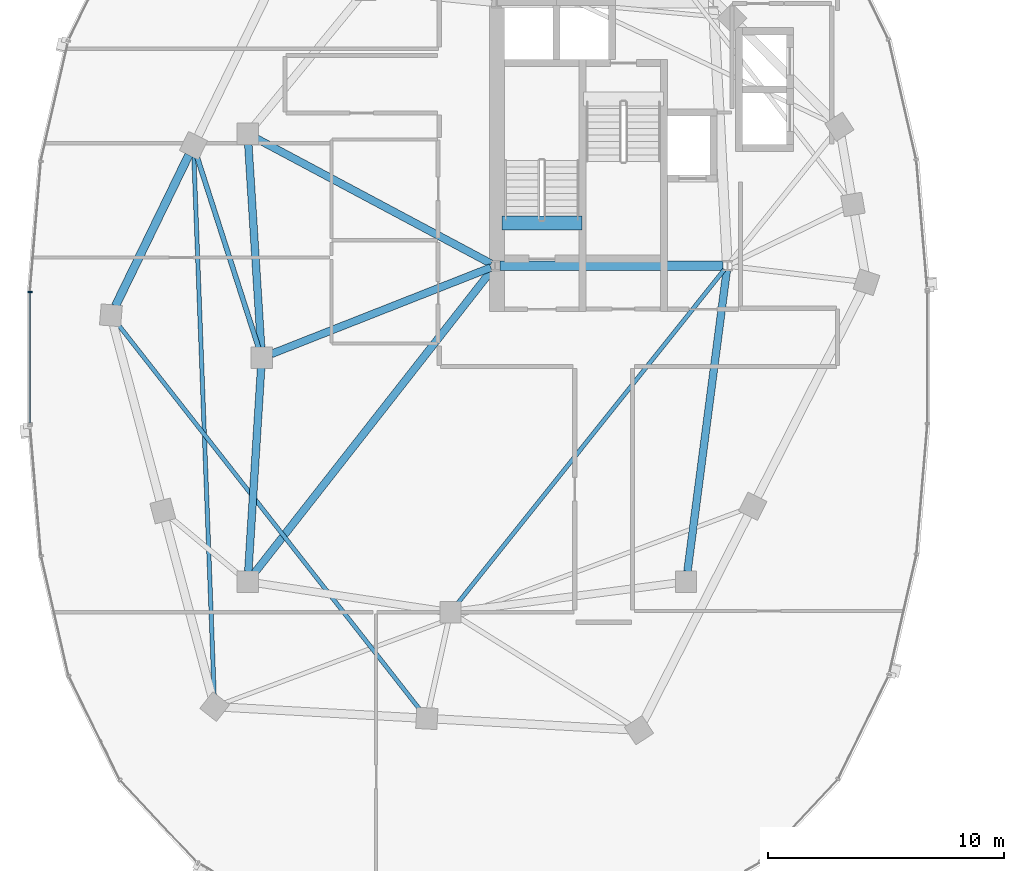
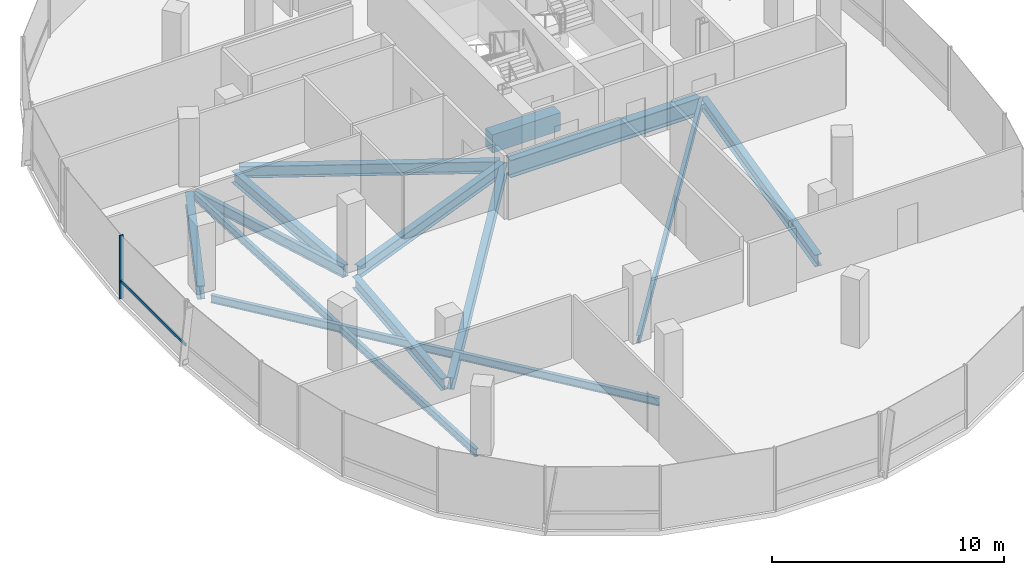
# One storey, part 4 of 25: 13 beams, 2 members, 1 element without a shape of its own.
"""IFC4 building model written with IfcOpenShell, lengths in metres."""

from ifc_helpers import new_model, si_unit, direction, frame, origin, origin_2d, place, context, subcontext, project, spatial, rectangle, i_section, extrude, material, material_profile, profile_set, type_object, element, aggregate, save


model = new_model("IFC4")

# Units and contexts
model_context = context("Model", 3, precision=1e-05, world=origin(), true_north=direction((0.0, 1.0)))
body_context = subcontext(model_context, "Body", "Model", "MODEL_VIEW")
ifc_project = project(units=[si_unit("LENGTHUNIT", "METRE"), si_unit("AREAUNIT", "SQUARE_METRE"), si_unit("VOLUMEUNIT", "CUBIC_METRE"), si_unit("PLANEANGLEUNIT", "RADIAN"), si_unit("MASSUNIT", "GRAM", prefix="KILO"), si_unit("THERMODYNAMICTEMPERATUREUNIT", "KELVIN"), si_unit("POWERUNIT", "WATT")], contexts=[model_context])

# Site, building, storey
site_placement = place(None, origin())
site = spatial("IfcSite", under=ifc_project, at=site_placement, CompositionType="ELEMENT")
building_placement = place(site_placement, origin())
building = spatial("IfcBuilding", under=site, at=building_placement, Name="Cundina Bronze Exchange", CompositionType="ELEMENT")
storey_placement = place(building_placement, frame((0.0, 0.0, 217.0)))
storey = spatial("IfcBuildingStorey", under=building, at=storey_placement, Name="L57", CompositionType="ELEMENT", Elevation=217.0)

# Beams
ifc_material_1 = material(Name="Concrete C60/75", Category="concrete")
ifc_material_profile_1 = material_profile(ifc_material_1, rectangle(XDim=0.60009765625, YDim=0.949951171875, at=origin_2d()), Name="RC600X950", Category="concrete")
ifc_profile_set_1 = profile_set([ifc_material_profile_1], Name="Concrete C60/75")
beam_type_1 = type_object("IfcBeamType", Name="BM-COUP-RC950", PredefinedType="LINTEL", material=ifc_profile_set_1)
beam_1_placement = place(storey_placement, frame((-31.02001953125, 5.719970703125, -0.47509765625), z_axis=(1.0, 0.0, 0.0), x_axis=(0.0, 1.0, 0.0)))
element("IfcBeam", 1, at=beam_1_placement, inside=storey, type_object=beam_type_1, Name="L57 Stair W1 Landing Header Beam", PredefinedType="LINTEL", context=body_context, shape_type="SweptSolid", body=[
    extrude(rectangle(XDim=0.60009765625, YDim=0.949951171875, at=origin_2d()), origin(), (0.0, 0.0, 1.0), 3.39990234375),
])
ifc_material_2 = material(Name="Steel ASTM A992 Grade 50", Category="steel")
ifc_material_profile_2 = material_profile(ifc_material_2, i_section(OverallWidth=0.2119140625, OverallDepth=0.5439453125, WebThickness=0.01318359375, FlangeThickness=0.021240234375, FilletRadius=0.013916015625, at=origin_2d()), Name="W21X83", Category="steel")
ifc_profile_set_2 = profile_set([ifc_material_profile_2], Name="Steel ASTM A992 Grade 50")
beam_type_2 = type_object("IfcBeamType", Name="BM-FLR-W21A", PredefinedType="BEAM", material=ifc_profile_set_2)
beam_2_placement = place(storey_placement, frame((-41.334228515625, 0.4169921875, -0.531982421875), z_axis=(-0.306727566953, 0.951797352208, 0.0), x_axis=(-0.951797352208, -0.306727566953, 0.0)))
element("IfcBeam", 2, at=beam_2_placement, inside=storey, type_object=beam_type_2, Name="L57 Leg W Radial Floor Beam 07", PredefinedType="BEAM", context=body_context, shape_type="SweptSolid", body=[
    extrude(i_section(OverallWidth=0.2119140625, OverallDepth=0.5439453125, WebThickness=0.01318359375, FlangeThickness=0.021240234375, FilletRadius=0.013916015625, at=origin_2d()), origin(), (0.0, 0.0, 1.0), 8.57958984375),
])
ifc_material_profile_3 = material_profile(ifc_material_2, i_section(OverallWidth=0.178955078125, OverallDepth=0.409912109375, WebThickness=0.0087890625, FlangeThickness=0.014404296875, FilletRadius=0.010986328125, at=origin_2d()), Name="W16X45", Category="steel")
ifc_profile_set_3 = profile_set([ifc_material_profile_3], Name="Steel ASTM A992 Grade 50")
beam_type_3 = type_object("IfcBeamType", Name="BM-JST-W16", PredefinedType="JOIST", material=ifc_profile_set_3)
beam_3_placement = place(storey_placement, frame((-21.572509765625, 3.746826171875, -0.465087890625), z_axis=(-0.624364266872, -0.781133319129, 0.0), x_axis=(0.781133319129, -0.624364266872, 0.0)))
element("IfcBeam", 3, at=beam_3_placement, inside=storey, type_object=beam_type_3, Name="L57 W Interior Core-to-Ring Joist 2", PredefinedType="JOIST", context=body_context, shape_type="SweptSolid", body=[
    extrude(i_section(OverallWidth=0.178955078125, OverallDepth=0.409912109375, WebThickness=0.0087890625, FlangeThickness=0.014404296875, FilletRadius=0.010986328125, at=origin_2d()), origin(), (0.0, 0.0, 1.0), 18.184814453125),
])
beam_4_placement = place(storey_placement, frame((-44.08349609375, 8.562255859375, -0.465087890625), z_axis=(0.037790216102, -0.999285694667, 0.0), x_axis=(0.999285694667, 0.037790216102, 0.0)))
element("IfcBeam", 4, at=beam_4_placement, inside=storey, type_object=beam_type_3, Name="L57 Leg W Lobe Floor Joist 07-10", PredefinedType="JOIST", context=body_context, shape_type="SweptSolid", body=[
    extrude(i_section(OverallWidth=0.178955078125, OverallDepth=0.409912109375, WebThickness=0.0087890625, FlangeThickness=0.014404296875, FilletRadius=0.010986328125, at=origin_2d()), origin(), (0.0, 0.0, 1.0), 22.94091796875),
])
beam_5_placement = place(storey_placement, frame((-47.329833984375, 1.455078125, -0.465087890625), z_axis=(0.616810493522, -0.787111691618, 0.0), x_axis=(0.787111691618, 0.616810493522, 0.0)))
element("IfcBeam", 5, at=beam_5_placement, inside=storey, type_object=beam_type_3, Name="L57 Leg W Lobe Floor Joist 08-11", PredefinedType="JOIST", context=body_context, shape_type="SweptSolid", body=[
    extrude(i_section(OverallWidth=0.178955078125, OverallDepth=0.409912109375, WebThickness=0.0087890625, FlangeThickness=0.014404296875, FilletRadius=0.010986328125, at=origin_2d()), origin(), (0.0, 0.0, 1.0), 20.8486328125),
])
ifc_material_profile_4 = material_profile(ifc_material_2, i_section(OverallWidth=0.324951171875, OverallDepth=0.615966796875, WebThickness=0.013916015625, FlangeThickness=0.021484375, FilletRadius=0.01611328125, at=origin_2d()), Name="W24X117", Category="steel")
ifc_profile_set_4 = profile_set([ifc_material_profile_4], Name="Steel ASTM A992 Grade 50")
beam_type_4 = type_object("IfcBeamType", Name="BM-RING-W24", PredefinedType="USERDEFINED", material=ifc_profile_set_4)
for number, where, z_axis, x_axis, name in (
    (6, (-41.7724609375, 9.06298828125, -0.568115234375), (0.063046519736, -0.998010589297, 0.0), (0.998010589297, 0.063046519736, 0.0), "L57 W Inner Structural Ring Girder 03"),
    (7, (-41.2275390625, -0.43701171875, -0.568115234375), (-0.063046519736, -0.998010589297, 0.0), (0.998010589297, -0.063046519736, 0.0), "L57 W Inner Structural Ring Girder 04"),
):
    element("IfcBeam", number, at=place(storey_placement, frame(where, z_axis=z_axis, x_axis=x_axis)), inside=storey, type_object=beam_type_4, Name=name, ObjectType="GIRDER", PredefinedType="USERDEFINED", context=body_context, shape_type="SweptSolid", body=[
        extrude(i_section(OverallWidth=0.324951171875, OverallDepth=0.615966796875, WebThickness=0.013916015625, FlangeThickness=0.021484375, FilletRadius=0.01611328125, at=origin_2d()), origin(), (0.0, 0.0, 1.0), 8.64306640625),
    ])
beam_6_placement = place(storey_placement, frame((-23.143310546875, -9.065673828125, -0.568115234375), z_axis=(0.129501251979, 0.991579258424, 0.0), x_axis=(-0.991579258424, 0.129501251979, 0.0)))
element("IfcBeam", 8, at=beam_6_placement, inside=storey, type_object=beam_type_4, Name="L57 W Inner Structural Ring Girder 07", ObjectType="GIRDER", PredefinedType="USERDEFINED", context=body_context, shape_type="SweptSolid", body=[
    extrude(i_section(OverallWidth=0.324951171875, OverallDepth=0.615966796875, WebThickness=0.013916015625, FlangeThickness=0.021484375, FilletRadius=0.01611328125, at=origin_2d()), origin(), (0.0, 0.0, 1.0), 12.8798828125),
])
beam_7_placement = place(storey_placement, frame((-31.482421875, 3.828125, -0.568115234375), z_axis=(-0.930404106569, -0.366535398673, 0.0), x_axis=(0.366535398673, -0.930404106569, 0.0)))
element("IfcBeam", 9, at=beam_7_placement, inside=storey, type_object=beam_type_4, Name="L57 W Core-to-Waist Tie Beam 1", ObjectType="GIRDER", PredefinedType="USERDEFINED", context=body_context, shape_type="SweptSolid", body=[
    extrude(i_section(OverallWidth=0.324951171875, OverallDepth=0.615966796875, WebThickness=0.013916015625, FlangeThickness=0.021484375, FilletRadius=0.01611328125, at=origin_2d()), origin(), (0.0, 0.0, 1.0), 10.00634765625),
])
beam_8_placement = place(storey_placement, frame((-31.472900390625, 3.9921875, -0.568115234375), z_axis=(-0.882350541683, 0.470592734317, 0.0), x_axis=(-0.470592734317, -0.882350541683, 0.0)))
element("IfcBeam", 10, at=beam_8_placement, inside=storey, type_object=beam_type_4, Name="L57 W Core-to-Waist Tie Beam 2", ObjectType="GIRDER", PredefinedType="USERDEFINED", context=body_context, shape_type="SweptSolid", body=[
    extrude(i_section(OverallWidth=0.324951171875, OverallDepth=0.615966796875, WebThickness=0.013916015625, FlangeThickness=0.021484375, FilletRadius=0.01611328125, at=origin_2d()), origin(), (0.0, 0.0, 1.0), 11.26611328125),
])
beam_9_placement = place(storey_placement, frame((-31.4208984375, 3.74560546875, -0.568115234375), z_axis=(-0.616782900053, -0.787133314123, 0.0), x_axis=(0.787133314123, -0.616782900053, 0.0)))
element("IfcBeam", 11, at=beam_9_placement, inside=storey, type_object=beam_type_4, Name="L57 W Core-to-Waist Tie Beam 3", ObjectType="GIRDER", PredefinedType="USERDEFINED", context=body_context, shape_type="SweptSolid", body=[
    extrude(i_section(OverallWidth=0.324951171875, OverallDepth=0.615966796875, WebThickness=0.013916015625, FlangeThickness=0.021484375, FilletRadius=0.01611328125, at=origin_2d()), origin(), (0.0, 0.0, 1.0), 16.3896484375),
])
ifc_material_profile_5 = material_profile(ifc_material_2, i_section(OverallWidth=0.35498046875, OverallDepth=0.695068359375, WebThickness=0.015380859375, FlangeThickness=0.02490234375, FilletRadius=0.01806640625, at=origin_2d()), Name="W27X146", Category="steel")
ifc_profile_set_5 = profile_set([ifc_material_profile_5], Name="Steel ASTM A992 Grade 50")
beam_type_5 = type_object("IfcBeamType", Name="BM-RING-W27", PredefinedType="USERDEFINED", material=ifc_profile_set_5)
beam_10_placement = place(storey_placement, frame((-44.29150390625, 8.606201171875, -0.607421875), z_axis=(-0.437173087764, -0.89937739094, 0.0), x_axis=(0.89937739094, -0.437173087764, 0.0)))
element("IfcBeam", 12, at=beam_10_placement, inside=storey, type_object=beam_type_5, Name="L57 W Perimeter Ring Girder 07", ObjectType="GIRDER", PredefinedType="USERDEFINED", context=body_context, shape_type="SweptSolid", body=[
    extrude(i_section(OverallWidth=0.35498046875, OverallDepth=0.695068359375, WebThickness=0.015380859375, FlangeThickness=0.02490234375, FilletRadius=0.01806640625, at=origin_2d()), origin(), (0.0, 0.0, 1.0), 7.1298828125),
])
ifc_material_profile_6 = material_profile(ifc_material_2, i_section(OverallWidth=0.41796875, OverallDepth=0.927001953125, WebThickness=0.019287109375, FlangeThickness=0.031982421875, FilletRadius=0.02392578125, at=origin_2d()), Name="W36X231", Category="steel")
ifc_profile_set_6 = profile_set([ifc_material_profile_6], Name="Steel ASTM A992 Grade 50")
beam_type_6 = type_object("IfcBeamType", Name="BM-WRN-W36B", PredefinedType="USERDEFINED", material=ifc_profile_set_6)
beam_11_placement = place(storey_placement, frame((-31.10400390625, 3.89990234375, -0.723388671875), z_axis=(1.0, 0.0, 0.0), x_axis=(0.0, 1.0, 0.0)))
element("IfcBeam", 13, at=beam_11_placement, inside=storey, type_object=beam_type_6, Name="L57 W Core Perimeter Tie Girder 1", ObjectType="GIRDER", PredefinedType="USERDEFINED", context=body_context, shape_type="SweptSolid", body=[
    extrude(i_section(OverallWidth=0.41796875, OverallDepth=0.927001953125, WebThickness=0.019287109375, FlangeThickness=0.031982421875, FilletRadius=0.02392578125, at=origin_2d()), origin(), (0.0, 0.0, 1.0), 9.4580078125),
])

# Curtain wall, members
ifc_material_3 = material(Name="Anodised Bronze Aluminium 6063-T6", Category="aluminium")
curtain_wall_type = type_object("IfcCurtainWallType", Name="CWS-UPP-OFF", PredefinedType="NOTDEFINED", material=ifc_material_3)
curtain_wall_placement = place(storey_placement, origin())
curtain_wall = element("IfcCurtainWall", 14, at=curtain_wall_placement, inside=storey, type_object=curtain_wall_type, Name="L57 CW-05 Curtain Wall Run CWR-L57-W2", PredefinedType="NOTDEFINED")
ifc_material_profile_7 = material_profile(ifc_material_3, rectangle(XDim=0.070068359375, YDim=0.18994140625, at=origin_2d()), Name="AL70X190", Category="aluminium")
ifc_profile_set_7 = profile_set([ifc_material_profile_7], Name="Anodised Bronze Aluminium 6063-T6")
member_type_1 = type_object("IfcMemberType", Name="CWM-MUL-190", PredefinedType="MULLION", material=ifc_profile_set_7)
member_1_placement = place(storey_placement, frame((-51.033935546875, 2.794921875, 0.0), z_axis=(0.0, 0.0, 1.0), x_axis=(0.0, -1.0, 0.0)))
member_1 = element("IfcMember", 15, at=member_1_placement, type_object=member_type_1, Name="CW-05 Mullion 7", PredefinedType="MULLION", context=body_context, shape_type="SweptSolid", body=[
    extrude(rectangle(XDim=0.070068359375, YDim=0.18994140625, at=origin_2d()), origin(), (0.0, 0.0, 1.0), 3.340087890625),
])
ifc_material_profile_8 = material_profile(ifc_material_3, rectangle(XDim=0.06494140625, YDim=0.14990234375, at=origin_2d()), Name="AL65X150", Category="aluminium")
ifc_profile_set_8 = profile_set([ifc_material_profile_8], Name="Anodised Bronze Aluminium 6063-T6")
member_type_2 = type_object("IfcMemberType", Name="CWM-TRN-150", PredefinedType="USERDEFINED", material=ifc_profile_set_8)
member_2_placement = place(storey_placement, frame((-51.033935546875, 2.756591796875, 0.919921875), z_axis=(0.0, -1.0, 0.0), x_axis=(1.0, 0.0, 0.0)))
member_2 = element("IfcMember", 16, at=member_2_placement, type_object=member_type_2, Name="CW-05 Spandrel Transom 7", ObjectType="TRANSOM", PredefinedType="USERDEFINED", context=body_context, shape_type="SweptSolid", body=[
    extrude(rectangle(XDim=0.06494140625, YDim=0.14990234375, at=origin_2d()), origin(), (0.0, 0.0, 1.0), 5.51318359375),
])
aggregate(curtain_wall, [member_1, member_2])

save(model, "model.ifc")
